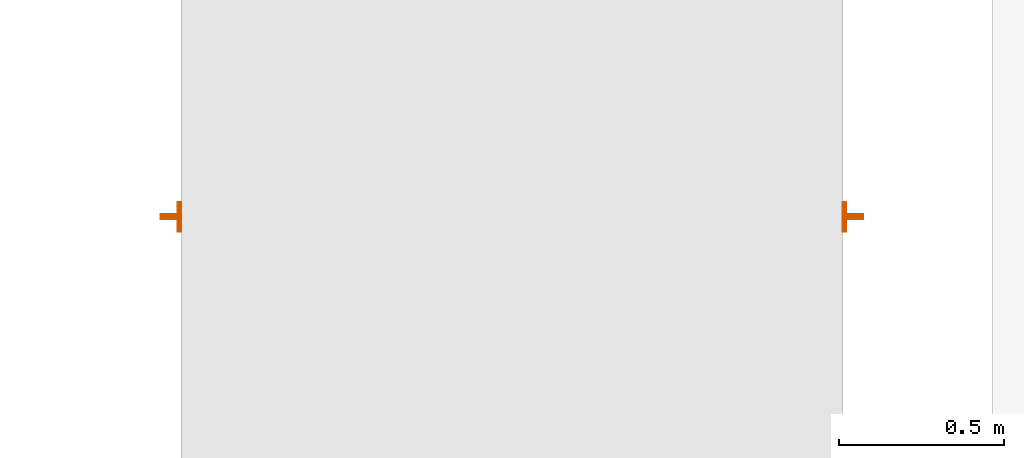
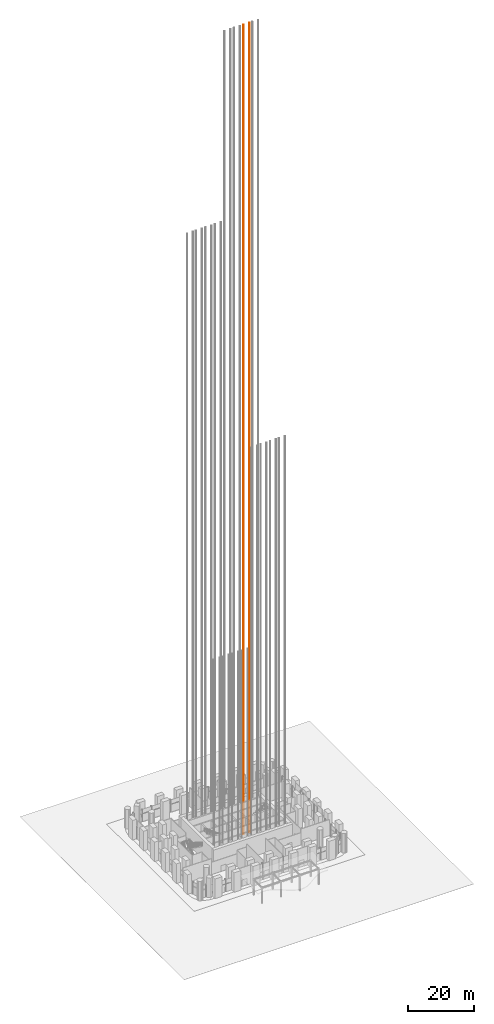
# One storey, part 31 of 32: 1 proxy.
"""IFC4 building model written with IfcOpenShell, lengths in metres."""

import ifcopenshell
import ifcopenshell.guid

model = None  # the IFC model being written
_history = None  # IfcOwnerHistory: only IFC2X3 demands one
_inside = {}  # id of a spatial element -> (the spatial element, [elements in it])
_under = {}  # id of a project, library or spatial element -> (it, [spatial elements below it])
_declared = {}  # id of a project -> (the project, [libraries it declares])
_typed = {}  # id of a type object -> (the type object, [elements of that type])
_made_of = {}  # id of a material, layer set ... -> (it, [elements and type objects made of it])


def new_model(schema):
    """Start an empty IFC model of exactly this schema.

    Asked for "IFC4X3", IfcOpenShell would pick the latest addendum, in which some entities
    have other attributes; the version numbers below select the first issue.
    IFC2X3 requires an IfcOwnerHistory on every rooted entity: one is made here for all.
    """
    global model, _history
    if schema == "IFC4X3":
        model = ifcopenshell.file(schema_version=(4, 3, 0, 0))
    else:
        model = ifcopenshell.file(schema=schema)
    _inside.clear()
    _under.clear()
    _declared.clear()
    _typed.clear()
    _made_of.clear()
    _history = None
    if model.schema == "IFC2X3":
        org = make("IfcOrganization", Name="unknown")
        user = make(
            "IfcPersonAndOrganization",
            ThePerson=make("IfcPerson", FamilyName="unknown"),
            TheOrganization=org,
        )
        app = make(
            "IfcApplication",
            ApplicationDeveloper=org,
            Version="unknown",
            ApplicationFullName="unknown",
            ApplicationIdentifier="unknown",
        )
        _history = make(
            "IfcOwnerHistory",
            OwningUser=user,
            OwningApplication=app,
            ChangeAction="ADDED",
            CreationDate=0,
        )
    return model


def make(cls, **values):
    """One entity of the class cls with the attributes given. An attribute that is None is left unset."""
    return model.create_entity(
        cls, **{name: value for name, value in values.items() if value is not None}
    )


def rooted(cls, **values):
    """An entity with a GlobalId (a new one), such as an element, a storey or a relation."""
    return make(cls, GlobalId=ifcopenshell.guid.new(), OwnerHistory=_history, **values)


def si_unit(unit_type, name, prefix=None):
    """IfcSIUnit, for example si_unit("LENGTHUNIT", "METRE", prefix="MILLI")."""
    return make("IfcSIUnit", UnitType=unit_type, Prefix=prefix, Name=name)


def assignment(units):
    """IfcUnitAssignment: the units of a project."""
    return None if units is None else make("IfcUnitAssignment", Units=units)


def point(xyz):
    """IfcCartesianPoint."""
    return None if xyz is None else make("IfcCartesianPoint", Coordinates=xyz)


def direction(xyz):
    """IfcDirection."""
    return None if xyz is None else make("IfcDirection", DirectionRatios=xyz)


def frame(location, z_axis=None, x_axis=None):
    """IfcAxis2Placement3D, a coordinate frame: its origin and axes. An axis left out is left unset."""
    return make(
        "IfcAxis2Placement3D",
        Location=point(location),
        Axis=direction(z_axis),
        RefDirection=direction(x_axis),
    )


def frame_2d(location, x_axis=None):
    """IfcAxis2Placement2D, a coordinate frame in the plane: its origin and x axis."""
    return make(
        "IfcAxis2Placement2D", Location=point(location), RefDirection=direction(x_axis)
    )


def origin():
    """The frame at (0, 0, 0) with its axes left unset."""
    return frame((0.0, 0.0, 0.0))


def origin_2d():
    """The frame at (0, 0) in the plane with its x axis left unset."""
    return frame_2d((0.0, 0.0))


def place(relative_to, where):
    """IfcLocalPlacement: puts the frame where relative to a parent placement (None: the world)."""
    return make(
        "IfcLocalPlacement", PlacementRelTo=relative_to, RelativePlacement=where
    )


def context(
    kind, dimensions, precision=None, world=None, true_north=None, identifier=None
):
    """IfcGeometricRepresentationContext, for example the 3D "Model" context."""
    return make(
        "IfcGeometricRepresentationContext",
        ContextIdentifier=identifier,
        ContextType=kind,
        CoordinateSpaceDimension=dimensions,
        Precision=precision,
        WorldCoordinateSystem=world,
        TrueNorth=true_north,
    )


def subcontext(parent, identifier, kind, view, scale=None):
    """IfcGeometricRepresentationSubContext, for example "Body" below "Model"."""
    return make(
        "IfcGeometricRepresentationSubContext",
        ContextIdentifier=identifier,
        ContextType=kind,
        ParentContext=parent,
        TargetScale=scale,
        TargetView=view,
    )


def project(units=None, contexts=None):
    """IfcProject with its units and contexts."""
    return rooted(
        "IfcProject",
        Name="project",
        RepresentationContexts=contexts,
        UnitsInContext=assignment(units),
    )


def spatial(cls, under=None, at=None, **own):
    """A site, building, storey or space (cls), placed at a placement, below another one or the project."""
    s = rooted(cls, ObjectPlacement=at, **own)
    if under is not None:
        _under.setdefault(under.id(), (under, []))[1].append(s)
    return s


def profile(cls, at=None, kind="AREA", **sizes):
    """A parametric profile (cls). Its sizes go by their IFC names, for example OverallWidth=200.0."""
    return make(cls, ProfileType=kind, Position=at, **sizes)


def t_section(**sizes):
    """IfcTShapeProfileDef."""
    return profile("IfcTShapeProfileDef", **sizes)


def extrude(swept, where, along, depth):
    """IfcExtrudedAreaSolid: the profile swept, set in the frame where, extruded along a direction by depth."""
    return make(
        "IfcExtrudedAreaSolid",
        SweptArea=swept,
        Position=where,
        ExtrudedDirection=direction(along),
        Depth=depth,
    )


def shape(context_of_items, identifier, shape_type, items):
    """IfcShapeRepresentation: the items that make up one representation, for example the "Body"."""
    return make(
        "IfcShapeRepresentation",
        ContextOfItems=context_of_items,
        RepresentationIdentifier=identifier,
        RepresentationType=shape_type,
        Items=items,
    )


def material(Name=None, Category=None):
    """IfcMaterial."""
    return make("IfcMaterial", Name=Name, Category=Category)


def made_of(thing, what):
    """Note that an element or type object is made of a material, layer set ...; save() writes the relation."""
    if what is not None:
        _made_of.setdefault(what.id(), (what, []))[1].append(thing)
    return thing


def type_object(cls, material=None, **own):
    """A type object (cls), such as IfcWallType, which elements share."""
    return made_of(rooted(cls, **own), material)


def element(
    cls,
    number,
    at=None,
    inside=None,
    cuts=None,
    type_object=None,
    material=None,
    context=None,
    identifier="Body",
    shape_type=None,
    held_by="IfcProductDefinitionShape",
    body=None,
    shapes=None,
    **own,
):
    """One element of the class cls, such as IfcWall. Its Tag is "e" and its number.

    at: its placement. inside: the storey or other place that contains it. cuts: it is an
    opening in that element (IfcRelVoidsElement). A single representation is given by context,
    identifier, shape_type and body (its items); several are given by shapes. held_by: the class
    of the entity that holds the representations. save() writes the other relations.
    """
    e = rooted(cls, Tag="e%d" % number, ObjectPlacement=at, **own)
    if body is not None:
        shapes = [shape(context, identifier, shape_type, body)]
    if shapes is not None:
        e.Representation = make(held_by, Representations=shapes)
    if inside is not None:
        _inside.setdefault(inside.id(), (inside, []))[1].append(e)
    if cuts is not None:
        rooted(
            "IfcRelVoidsElement", RelatingBuildingElement=cuts, RelatedOpeningElement=e
        )
    if type_object is not None:
        _typed.setdefault(type_object.id(), (type_object, []))[1].append(e)
    return made_of(e, material)


def aggregate(whole, parts):
    """IfcRelAggregates: a whole, such as a stair, and the parts it consists of."""
    return rooted("IfcRelAggregates", RelatingObject=whole, RelatedObjects=parts)


def save(model, path):
    """Write the relations noted so far, then the file.

    IfcRelAggregates (storeys below a building ...), IfcRelContainedInSpatialStructure (elements
    in a storey), IfcRelDefinesByType, IfcRelAssociatesMaterial and IfcRelDeclares: one each for
    every whole, place, type object, material and project.
    """
    for whole, parts in _under.values():
        aggregate(whole, parts)
    for where, things in _inside.values():
        rooted(
            "IfcRelContainedInSpatialStructure",
            RelatedElements=things,
            RelatingStructure=where,
        )
    for kind, things in _typed.values():
        rooted("IfcRelDefinesByType", RelatedObjects=things, RelatingType=kind)
    for what, things in _made_of.values():
        rooted("IfcRelAssociatesMaterial", RelatedObjects=things, RelatingMaterial=what)
    for by, libraries in _declared.values():
        rooted("IfcRelDeclares", RelatingContext=by, RelatedDefinitions=libraries)
    model.write(path)


model = new_model("IFC4")

# Units and contexts
model_context = context("Model", 3, precision=1e-05, world=origin(), true_north=direction((0.0, 1.0)))
body_context = subcontext(model_context, "Body", "Model", "MODEL_VIEW")
ifc_project = project(units=[si_unit("LENGTHUNIT", "METRE"), si_unit("AREAUNIT", "SQUARE_METRE"), si_unit("VOLUMEUNIT", "CUBIC_METRE"), si_unit("PLANEANGLEUNIT", "RADIAN"), si_unit("MASSUNIT", "GRAM", prefix="KILO")], contexts=[model_context])

# Site, building, storey
site_placement = place(None, origin())
site = spatial("IfcSite", under=ifc_project, at=site_placement, CompositionType="ELEMENT")
building_placement = place(site_placement, origin())
building = spatial("IfcBuilding", under=site, at=building_placement, Name="Cobogo Forest Laboratory Tower", CompositionType="ELEMENT")
storey_placement = place(building_placement, origin())
storey = spatial("IfcBuildingStorey", under=building, at=storey_placement, Name="L00", CompositionType="ELEMENT", Elevation=0.0)

# Proxy
ifc_material = material(Name="Steel guide rail", Category="steel")
building_element_proxy_type = type_object("IfcBuildingElementProxyType", Name="LR lift guide rails", PredefinedType="USERDEFINED", material=ifc_material)
proxy_placement = place(storey_placement, frame((34.64990234375, 31.0, 0.0)))
element("IfcBuildingElementProxy", 1, at=proxy_placement, inside=storey, type_object=building_element_proxy_type, Name="LD3 guide rails", ObjectType="LIFT GUIDE RAILS", PredefinedType="USERDEFINED", context=body_context, shape_type="SweptSolid", body=[
    extrude(t_section(Depth=0.062, FlangeWidth=0.089, WebThickness=0.0159, FlangeThickness=0.01, at=origin_2d()), frame((-1.031005859375, 0.0, -5.39990234375), z_axis=(0.0, 0.0, 1.0), x_axis=(0.0, -1.0, 0.0)), (0.0, 0.0, 1.0), 297.64990234375),
    extrude(t_section(Depth=0.062, FlangeWidth=0.089, WebThickness=0.0159, FlangeThickness=0.01, at=origin_2d()), frame((1.031005859375, 0.0, -5.39990234375), z_axis=(0.0, 0.0, 1.0), x_axis=(0.0, 1.0, 0.0)), (0.0, 0.0, 1.0), 297.64990234375),
])

save(model, "model.ifc")
